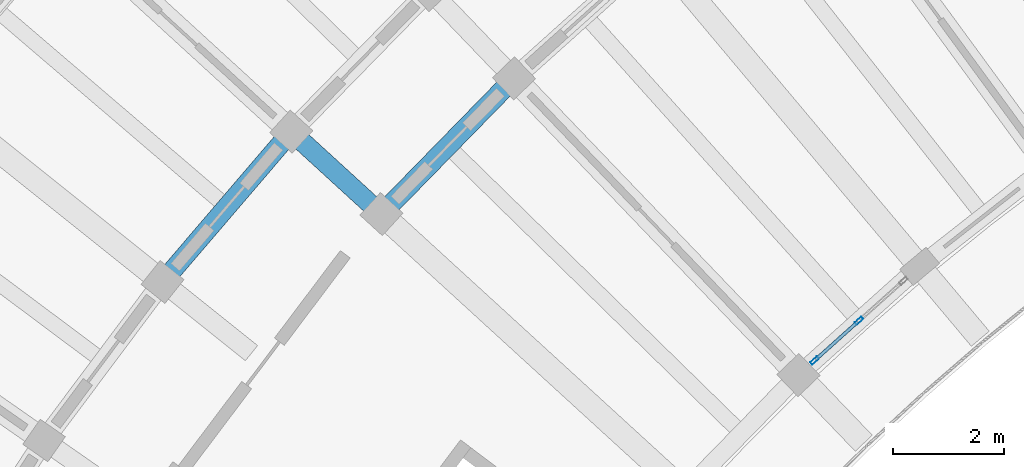
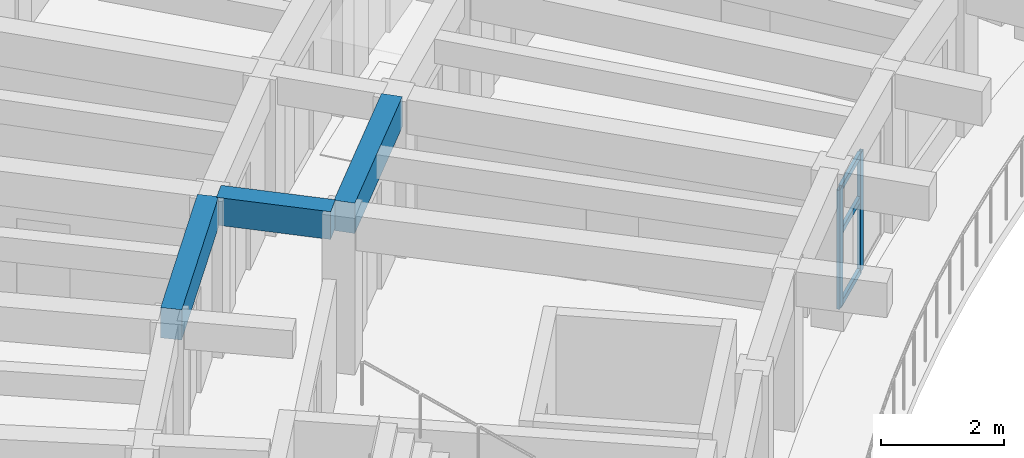
# One storey, part 16 of 96: 5 members, 3 beams, 1 element without a shape of its own.
"""IFC4 building model written with IfcOpenShell, lengths in metres."""

from ifc_helpers import new_model, si_unit, direction, frame, origin, origin_2d, place, context, subcontext, project, spatial, rectangle, hollow_rectangle, extrude, material, material_profile, profile_set, type_object, element, aggregate, save


model = new_model("IFC4")

# Units and contexts
model_context = context("Model", 3, precision=1e-05, world=origin(), true_north=direction((0.0, 1.0)))
body_context = subcontext(model_context, "Body", "Model", "MODEL_VIEW")
ifc_project = project(units=[si_unit("LENGTHUNIT", "METRE"), si_unit("AREAUNIT", "SQUARE_METRE"), si_unit("VOLUMEUNIT", "CUBIC_METRE"), si_unit("PLANEANGLEUNIT", "RADIAN"), si_unit("MASSUNIT", "GRAM", prefix="KILO")], contexts=[model_context])

# Site, building, storey
site_placement = place(None, origin())
site = spatial("IfcSite", under=ifc_project, at=site_placement, CompositionType="ELEMENT")
building_placement = place(site_placement, origin())
building = spatial("IfcBuilding", under=site, at=building_placement, Name="Tanwirah Colonnade Gardens", CompositionType="ELEMENT")
storey_placement = place(building_placement, frame((0.0, 0.0, 12.199951171875)))
storey = spatial("IfcBuildingStorey", under=building, at=storey_placement, Name="L03", CompositionType="ELEMENT", Elevation=12.199951171875)

# Beams
ifc_material_1 = material(Name="Precast concrete C40/50", Category="concrete")
ifc_material_profile_1 = material_profile(ifc_material_1, rectangle(XDim=0.35009765625, YDim=0.550048828125, at=origin_2d()), Name="PC-BM 350x550")
ifc_profile_set_1 = profile_set([ifc_material_profile_1], Name="Precast concrete C40/50")
beam_type_1 = type_object("IfcBeamType", Name="BM-PC350A", PredefinedType="BEAM", material=ifc_profile_set_1)
beam_1_placement = place(storey_placement, frame((26.62744140625, 95.29345703125, 2.830078125), z_axis=(-0.737948361517, 0.674857181732, 0.0), x_axis=(-0.674857181732, -0.737948361517, 0.0)))
element("IfcBeam", 1, at=beam_1_placement, inside=storey, type_object=beam_type_1, Name="Block A L03 Corridor Tie Beam 11", PredefinedType="BEAM", context=body_context, shape_type="SweptSolid", body=[
    extrude(rectangle(XDim=0.35009765625, YDim=0.550048828125, at=origin_2d()), origin(), (0.0, 0.0, 1.0), 1.89990234375),
])
ifc_material_profile_2 = material_profile(ifc_material_1, rectangle(XDim=0.35009765625, YDim=0.60009765625, at=origin_2d()), Name="PC-BM 350x600")
ifc_profile_set_2 = profile_set([ifc_material_profile_2], Name="Precast concrete C40/50")
beam_type_2 = type_object("IfcBeamType", Name="BM-PC350B", PredefinedType="BEAM", material=ifc_profile_set_2)
beam_2_placement = place(storey_placement, frame((29.02197265625, 97.52978515625, 2.804931640625), z_axis=(-0.698837366631, -0.715280598787, 0.0), x_axis=(0.715280598787, -0.698837366631, 0.0)))
element("IfcBeam", 2, at=beam_2_placement, inside=storey, type_object=beam_type_2, Name="Block A L03 Circumferential Beam 10-R1", PredefinedType="BEAM", context=body_context, shape_type="SweptSolid", body=[
    extrude(rectangle(XDim=0.35009765625, YDim=0.60009765625, at=origin_2d()), origin(), (0.0, 0.0, 1.0), 3.117919921875),
])
beam_3_placement = place(storey_placement, frame((25.017333984375, 96.56298828125, 2.804931640625), z_axis=(-0.650218192342, -0.759747525398, 0.0), x_axis=(0.759747525398, -0.650218192342, 0.0)))
element("IfcBeam", 3, at=beam_3_placement, inside=storey, type_object=beam_type_2, Name="Block A L03 Circumferential Beam 11-R2", PredefinedType="BEAM", context=body_context, shape_type="SweptSolid", body=[
    extrude(rectangle(XDim=0.35009765625, YDim=0.60009765625, at=origin_2d()), origin(), (0.0, 0.0, 1.0), 3.26318359375),
])

# Curtain wall, members
ifc_material_2 = material(Name="Bronze-anodised aluminium and solar-control low-E glass", Category="aluminium")
curtain_wall_type = type_object("IfcCurtainWallType", Name="CW-GDN", PredefinedType="NOTDEFINED", material=ifc_material_2)
curtain_wall_placement = place(storey_placement, origin())
curtain_wall = element("IfcCurtainWall", 4, at=curtain_wall_placement, inside=storey, type_object=curtain_wall_type, Name="Curtain Wall CW-A-L03-IN-09", PredefinedType="NOTDEFINED")
ifc_material_3 = material(Name="Bronze-anodised aluminium", Category="aluminium")
ifc_material_profile_3 = material_profile(ifc_material_3, hollow_rectangle(XDim=0.06005859375, YDim=0.159912109375, WallThickness=0.00390625, at=origin_2d()), Name="CW-MUL 60x160x4")
ifc_profile_set_3 = profile_set([ifc_material_profile_3], Name="Bronze-anodised aluminium")
member_type_1 = type_object("IfcMemberType", Name="CWM-60x160", PredefinedType="MULLION", material=ifc_profile_set_3)
member_1_placement = place(storey_placement, frame((35.33740234375, 93.2724609375, 0.0), z_axis=(0.0, 0.0, 1.0), x_axis=(0.667689182798, -0.744440162253, 0.0)))
member_1 = element("IfcMember", 5, at=member_1_placement, type_object=member_type_1, Name="CW-GDN mullion 2", PredefinedType="MULLION", context=body_context, shape_type="SweptSolid", body=[
    extrude(hollow_rectangle(XDim=0.06005859375, YDim=0.159912109375, WallThickness=0.00390625, at=origin_2d()), origin(), (0.0, 0.0, 1.0), 2.35498046875),
])
member_2_placement = place(storey_placement, frame((34.537109375, 92.5546875, 0.0), z_axis=(0.0, 0.0, 1.0), x_axis=(0.667689182798, -0.744440162253, 0.0)))
member_2 = element("IfcMember", 6, at=member_2_placement, type_object=member_type_1, Name="CW-GDN mullion 3", PredefinedType="MULLION", context=body_context, shape_type="SweptSolid", body=[
    extrude(hollow_rectangle(XDim=0.06005859375, YDim=0.159912109375, WallThickness=0.00390625, at=origin_2d()), origin(), (0.0, 0.0, 1.0), 2.35498046875),
])
ifc_material_profile_4 = material_profile(ifc_material_3, hollow_rectangle(XDim=0.06005859375, YDim=0.1201171875, WallThickness=0.00390625, at=origin_2d()), Name="CW-TRN 60x120x4")
ifc_profile_set_4 = profile_set([ifc_material_profile_4], Name="Bronze-anodised aluminium")
member_type_2 = type_object("IfcMemberType", Name="CWT-60x120", PredefinedType="USERDEFINED", material=ifc_profile_set_4)
member_3_placement = place(storey_placement, frame((35.31494140625, 93.25244140625, 0.030029296875), z_axis=(-0.744429262498, -0.667701335281, 0.0), x_axis=(0.667701335281, -0.744429262498, 0.0)))
member_3 = element("IfcMember", 7, at=member_3_placement, type_object=member_type_2, Name="CW-GDN transom 2.1", ObjectType="TRANSOM", PredefinedType="USERDEFINED", context=body_context, shape_type="SweptSolid", body=[
    extrude(hollow_rectangle(XDim=0.06005859375, YDim=0.1201171875, WallThickness=0.00390625, at=origin_2d()), origin(), (0.0, 0.0, 1.0), 1.01513671875),
])
member_4_placement = place(storey_placement, frame((35.31494140625, 93.25244140625, 1.460205078125), z_axis=(-0.744429262498, -0.667701335281, 0.0), x_axis=(0.667701335281, -0.744429262498, 0.0)))
member_4 = element("IfcMember", 8, at=member_4_placement, type_object=member_type_2, Name="CW-GDN transom 2.2", ObjectType="TRANSOM", PredefinedType="USERDEFINED", context=body_context, shape_type="SweptSolid", body=[
    extrude(hollow_rectangle(XDim=0.06005859375, YDim=0.1201171875, WallThickness=0.00390625, at=origin_2d()), origin(), (0.0, 0.0, 1.0), 1.01513671875),
])
member_5_placement = place(storey_placement, frame((35.31494140625, 93.25244140625, 2.324951171875), z_axis=(-0.744429262498, -0.667701335281, 0.0), x_axis=(0.667701335281, -0.744429262498, 0.0)))
member_5 = element("IfcMember", 9, at=member_5_placement, type_object=member_type_2, Name="CW-GDN transom 2.3", ObjectType="TRANSOM", PredefinedType="USERDEFINED", context=body_context, shape_type="SweptSolid", body=[
    extrude(hollow_rectangle(XDim=0.06005859375, YDim=0.1201171875, WallThickness=0.00390625, at=origin_2d()), origin(), (0.0, 0.0, 1.0), 1.01513671875),
])
aggregate(curtain_wall, [member_1, member_2, member_3, member_4, member_5])

save(model, "model.ifc")
